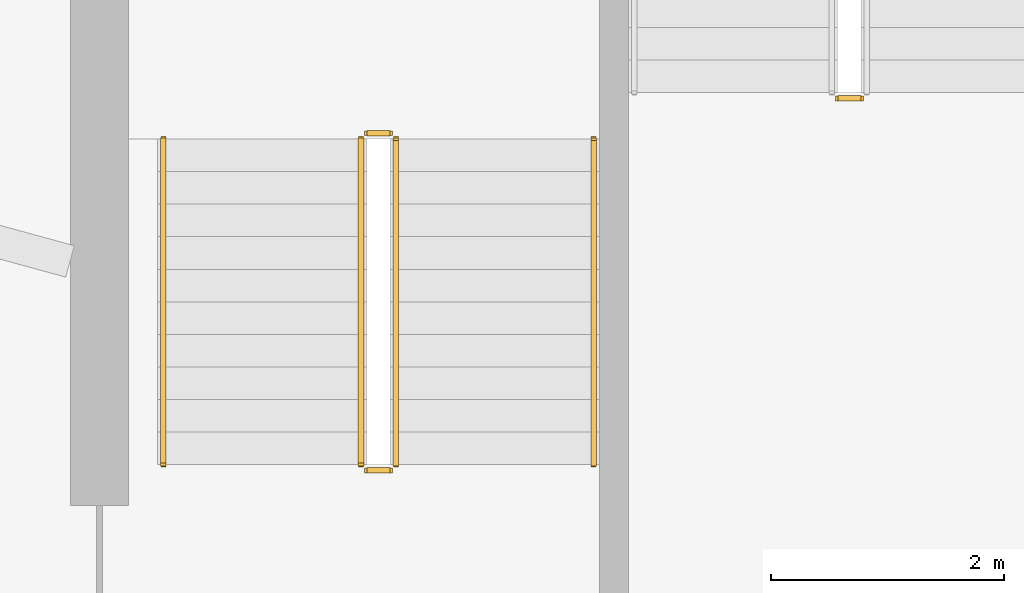
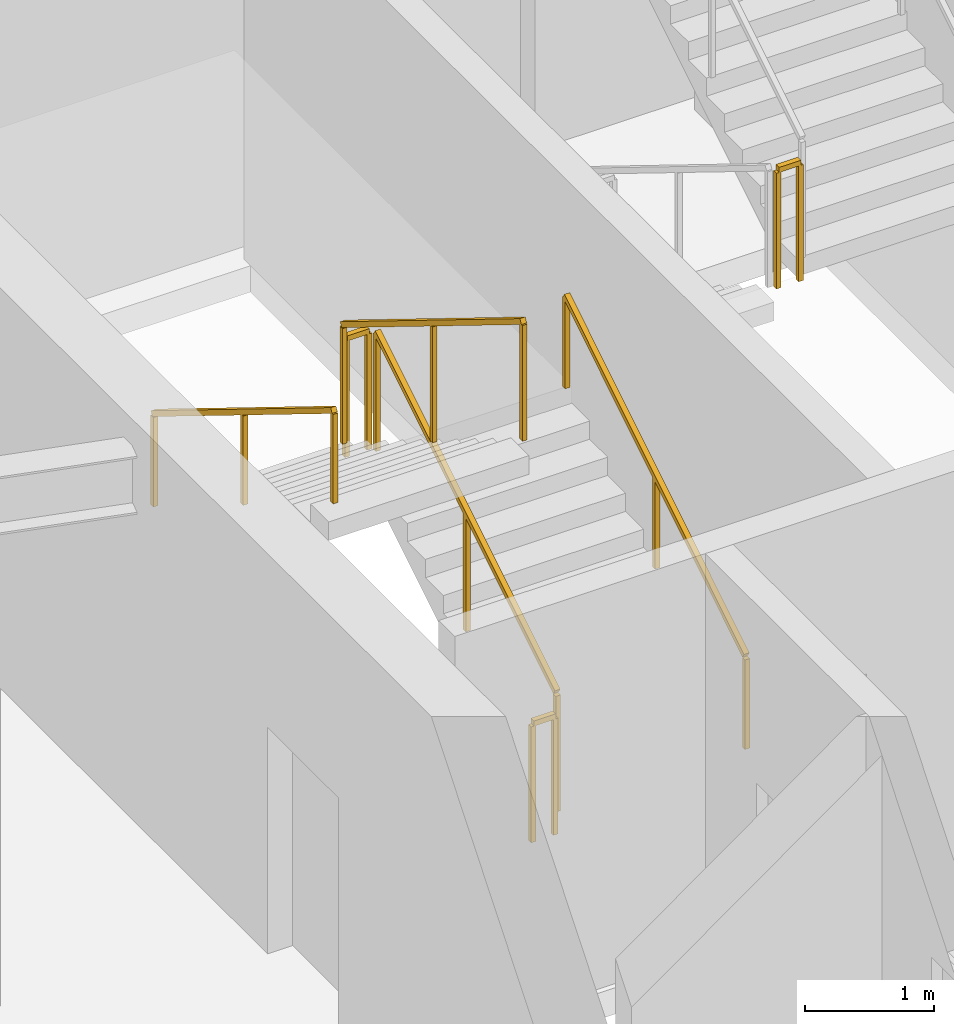
# One storey, part 21 of 23: 7 railings.
"""IFC4 building model written with IfcOpenShell, lengths in metres."""

from ifc_helpers import new_model, si_unit, direction, frame, origin, origin_2d, place, context, subcontext, project, spatial, rectangle, extrude, material, type_object, element, save


model = new_model("IFC4")

# Units and contexts
model_context = context("Model", 3, precision=1e-05, world=origin(), true_north=direction((0.0, 1.0)))
body_context = subcontext(model_context, "Body", "Model", "MODEL_VIEW")
ifc_project = project(units=[si_unit("LENGTHUNIT", "METRE"), si_unit("AREAUNIT", "SQUARE_METRE"), si_unit("VOLUMEUNIT", "CUBIC_METRE"), si_unit("PLANEANGLEUNIT", "RADIAN"), si_unit("MASSUNIT", "GRAM", prefix="KILO")], contexts=[model_context])

# Site, building, storey
site_placement = place(None, origin())
site = spatial("IfcSite", under=ifc_project, at=site_placement, CompositionType="ELEMENT")
building_placement = place(site_placement, origin())
building = spatial("IfcBuilding", under=site, at=building_placement, Name="Zuhravey Tower", CompositionType="ELEMENT")
storey_placement = place(building_placement, frame((0.0, 0.0, 315.800048828125)))
storey = spatial("IfcBuildingStorey", under=building, at=storey_placement, Name="L80", CompositionType="ELEMENT", Elevation=315.800048828125)

# Railings
ifc_material_1 = material(Name="Brushed stainless steel", Category="steel")
railing_type_1 = type_object("IfcRailingType", Name="Stair Wall Handrail 900", PredefinedType="HANDRAIL", material=ifc_material_1)
railing_1_placement = place(storey_placement, frame((29.75, 33.199951171875, 0.172607421875)))
element("IfcRailing", 1, at=railing_1_placement, inside=storey, type_object=railing_type_1, Name="L80 ST1 stair handrail 1", PredefinedType="HANDRAIL", context=body_context, shape_type="SweptSolid", body=[
    extrude(rectangle(XDim=0.048095703125, YDim=0.048095703125, at=origin_2d()), frame((0.0, 0.001708984375, 0.876953125), z_axis=(0.0, 0.851089632645, 0.525020415988), x_axis=(-1.0, 0.0, 0.0)), (0.0, 0.0, 1.0), 3.285888671875),
    extrude(rectangle(XDim=0.0419921875, YDim=0.0419921875, at=origin_2d()), origin(), (0.0, 0.0, 1.0), 0.849853515625),
    extrude(rectangle(XDim=0.0419921875, YDim=0.0419921875, at=origin_2d()), frame((0.0, 1.39990234375, 0.86376953125)), (0.0, 0.0, 1.0), 0.849853515625),
    extrude(rectangle(XDim=0.0419921875, YDim=0.0419921875, at=origin_2d()), frame((0.0, 2.800048828125, 1.727294921875)), (0.0, 0.0, 1.0), 0.849853515625),
])
railing_2_placement = place(storey_placement, frame((26.050048828125, 36.0, 2.07275390625)))
element("IfcRailing", 2, at=railing_2_placement, inside=storey, type_object=railing_type_1, Name="L80 ST1 stair handrail 2", PredefinedType="HANDRAIL", context=body_context, shape_type="SweptSolid", body=[
    extrude(rectangle(XDim=0.048095703125, YDim=0.048095703125, at=origin_2d()), frame((0.0, -0.001708984375, 0.876953125), z_axis=(0.0, -0.851089632645, 0.525020415988), x_axis=(1.0, 0.0, 0.0)), (0.0, 0.0, 1.0), 3.285888671875),
    extrude(rectangle(XDim=0.0419921875, YDim=0.0419921875, at=origin_2d()), origin(), (0.0, 0.0, 1.0), 0.849853515625),
    extrude(rectangle(XDim=0.0419921875, YDim=0.0419921875, at=origin_2d()), frame((0.0, -1.39990234375, 0.86376953125)), (0.0, 0.0, 1.0), 0.849853515625),
    extrude(rectangle(XDim=0.0419921875, YDim=0.0419921875, at=origin_2d()), frame((0.0, -2.800048828125, 1.727294921875)), (0.0, 0.0, 1.0), 0.849853515625),
])
ifc_material_2 = material(Name="Painted tubular steel", Category="steel")
railing_type_2 = type_object("IfcRailingType", Name="Stair Well Guardrail 1150", PredefinedType="GUARDRAIL", material=ifc_material_2)
railing_3_placement = place(storey_placement, frame((28.050048828125, 33.199951171875, 0.172607421875)))
element("IfcRailing", 3, at=railing_3_placement, inside=storey, type_object=railing_type_2, Name="L80 ST1 stair guard 1", PredefinedType="GUARDRAIL", context=body_context, shape_type="SweptSolid", body=[
    extrude(rectangle(XDim=0.048095703125, YDim=0.048095703125, at=origin_2d()), frame((0.0, 0.001708984375, 1.126953125), z_axis=(0.0, 0.851089632645, 0.525020415988), x_axis=(-1.0, 0.0, 0.0)), (0.0, 0.0, 1.0), 3.285888671875),
    extrude(rectangle(XDim=0.0419921875, YDim=0.0419921875, at=origin_2d()), origin(), (0.0, 0.0, 1.0), 1.099853515625),
    extrude(rectangle(XDim=0.0419921875, YDim=0.0419921875, at=origin_2d()), frame((0.0, 1.39990234375, 0.86376953125)), (0.0, 0.0, 1.0), 1.099853515625),
    extrude(rectangle(XDim=0.0419921875, YDim=0.0419921875, at=origin_2d()), frame((0.0, 2.800048828125, 1.727294921875)), (0.0, 0.0, 1.0), 1.099853515625),
])
railing_4_placement = place(storey_placement, frame((28.0, 36.050048828125, 1.89990234375)))
element("IfcRailing", 4, at=railing_4_placement, inside=storey, type_object=railing_type_2, Name="L80 ST1 stair guard 2", PredefinedType="GUARDRAIL", context=body_context, shape_type="SweptSolid", body=[
    extrude(rectangle(XDim=0.048095703125, YDim=0.048095703125, at=origin_2d()), frame((-0.001953125, 0.0, 1.1259765625), z_axis=(-1.0, 0.0, 0.0), x_axis=(0.0, -1.0, 0.0)), (0.0, 0.0, 1.0), 0.196044921875),
    extrude(rectangle(XDim=0.0419921875, YDim=0.0419921875, at=origin_2d()), origin(), (0.0, 0.0, 1.0), 1.099853515625),
    extrude(rectangle(XDim=0.0419921875, YDim=0.0419921875, at=origin_2d()), frame((-0.199951171875, 0.0, 0.0)), (0.0, 0.0, 1.0), 1.099853515625),
])
railing_5_placement = place(storey_placement, frame((27.75, 36.0, 2.07275390625)))
element("IfcRailing", 5, at=railing_5_placement, inside=storey, type_object=railing_type_2, Name="L80 ST1 stair guard 3", PredefinedType="GUARDRAIL", context=body_context, shape_type="SweptSolid", body=[
    extrude(rectangle(XDim=0.048095703125, YDim=0.048095703125, at=origin_2d()), frame((0.0, -0.001708984375, 1.126953125), z_axis=(0.0, -0.851089632645, 0.525020415988), x_axis=(1.0, 0.0, 0.0)), (0.0, 0.0, 1.0), 3.285888671875),
    extrude(rectangle(XDim=0.0419921875, YDim=0.0419921875, at=origin_2d()), origin(), (0.0, 0.0, 1.0), 1.099853515625),
    extrude(rectangle(XDim=0.0419921875, YDim=0.0419921875, at=origin_2d()), frame((0.0, -1.39990234375, 0.86376953125)), (0.0, 0.0, 1.0), 1.099853515625),
    extrude(rectangle(XDim=0.0419921875, YDim=0.0419921875, at=origin_2d()), frame((0.0, -2.800048828125, 1.727294921875)), (0.0, 0.0, 1.0), 1.099853515625),
])
railing_6_placement = place(storey_placement, frame((28.0, 33.14990234375, 0.0)))
element("IfcRailing", 6, at=railing_6_placement, inside=storey, type_object=railing_type_2, Name="L80 ST1 stair guard 4", PredefinedType="GUARDRAIL", context=body_context, shape_type="SweptSolid", body=[
    extrude(rectangle(XDim=0.048095703125, YDim=0.048095703125, at=origin_2d()), frame((-0.001953125, 0.0, 1.1259765625), z_axis=(-1.0, 0.0, 0.0), x_axis=(0.0, -1.0, 0.0)), (0.0, 0.0, 1.0), 0.196044921875),
    extrude(rectangle(XDim=0.0419921875, YDim=0.0419921875, at=origin_2d()), origin(), (0.0, 0.0, 1.0), 1.099853515625),
    extrude(rectangle(XDim=0.0419921875, YDim=0.0419921875, at=origin_2d()), frame((-0.199951171875, 0.0, 0.0)), (0.0, 0.0, 1.0), 1.099853515625),
])
railing_7_placement = place(storey_placement, frame((31.85009765625, 36.35009765625, 1.89990234375)))
element("IfcRailing", 7, at=railing_7_placement, inside=storey, type_object=railing_type_2, Name="L80 ST3 stair guard 2", PredefinedType="GUARDRAIL", context=body_context, shape_type="SweptSolid", body=[
    extrude(rectangle(XDim=0.048095703125, YDim=0.048095703125, at=origin_2d()), frame((0.001953125, 0.0, 1.1259765625), z_axis=(1.0, 0.0, 0.0), x_axis=(0.0, 1.0, 0.0)), (0.0, 0.0, 1.0), 0.196044921875),
    extrude(rectangle(XDim=0.0419921875, YDim=0.0419921875, at=origin_2d()), origin(), (0.0, 0.0, 1.0), 1.099853515625),
    extrude(rectangle(XDim=0.0419921875, YDim=0.0419921875, at=origin_2d()), frame((0.199951171875, 0.0, 0.0)), (0.0, 0.0, 1.0), 1.099853515625),
])

save(model, "model.ifc")
